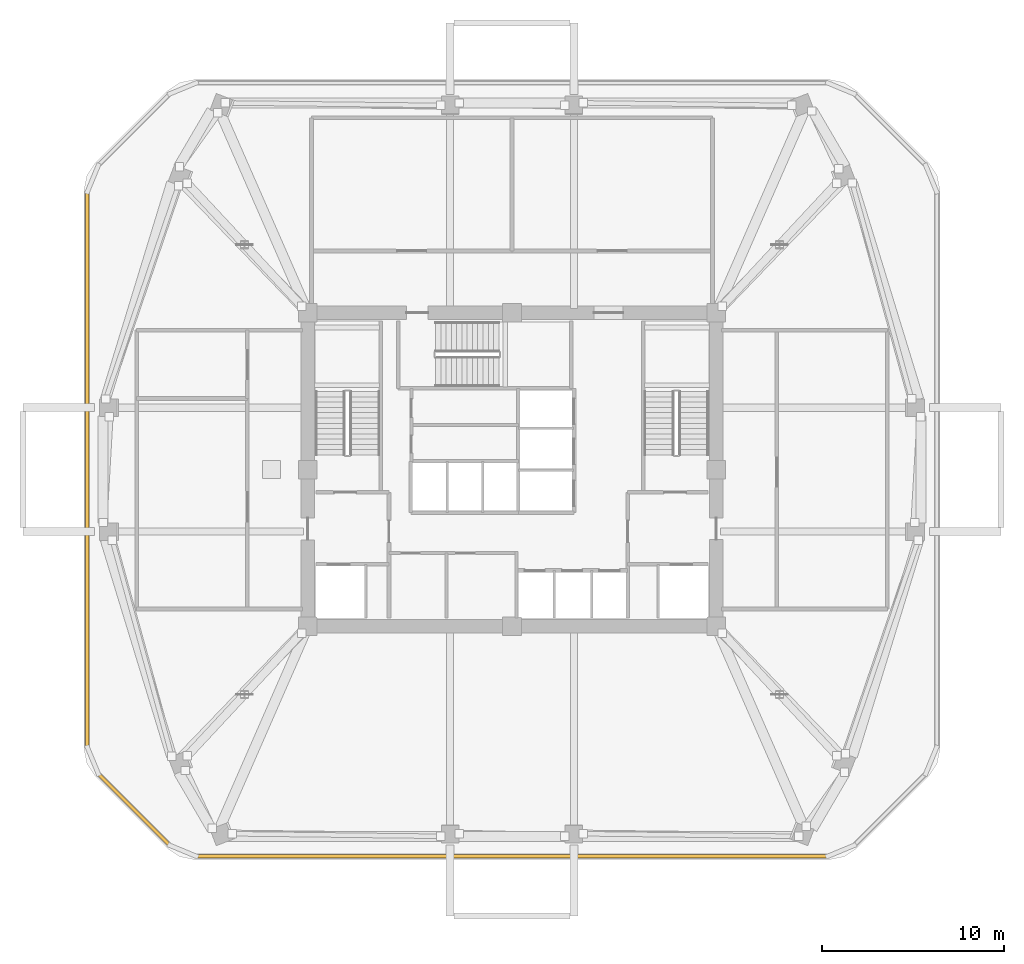
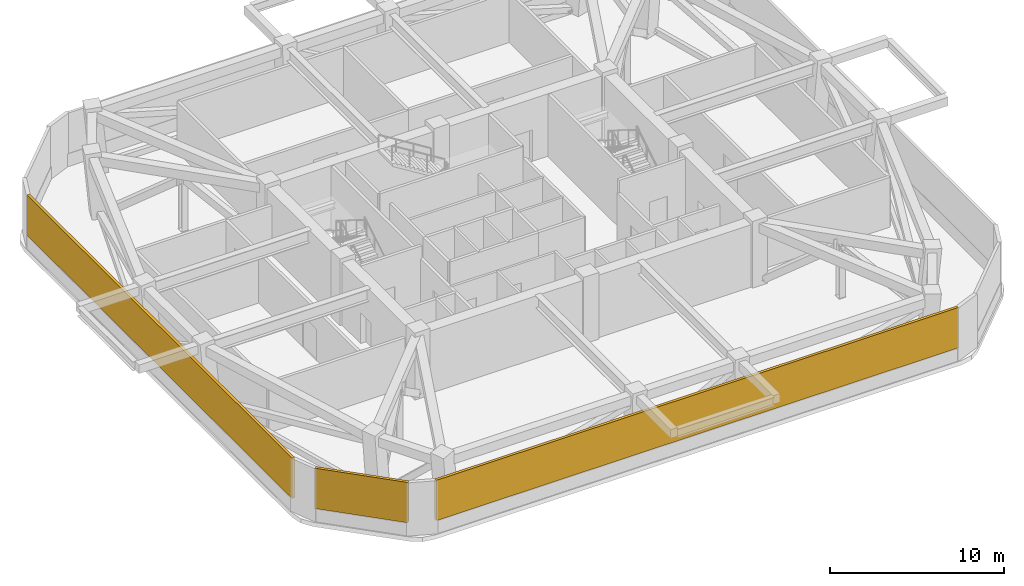
# One storey, part 6 of 8: 3 shading devices.
"""IFC4 building model written with IfcOpenShell, lengths in metres."""

from ifc_helpers import new_model, si_unit, derived_unit, direction, frame, origin, origin_2d, place, context, subcontext, project, spatial, rectangle, extrude, material, layer, layer_set, type_object, element, save


model = new_model("IFC4")

# Units and contexts
model_context = context("Model", 3, precision=1e-05, world=origin(), true_north=direction((0.0, 1.0)))
body_context = subcontext(model_context, "Body", "Model", "MODEL_VIEW")
ifc_project = project(units=[si_unit("LENGTHUNIT", "METRE"), si_unit("AREAUNIT", "SQUARE_METRE"), si_unit("VOLUMEUNIT", "CUBIC_METRE"), si_unit("PLANEANGLEUNIT", "RADIAN"), si_unit("MASSUNIT", "GRAM", prefix="KILO"), derived_unit("THERMALTRANSMITTANCEUNIT", [(si_unit("POWERUNIT", "WATT"), 1), (si_unit("LENGTHUNIT", "METRE"), -2), (si_unit("THERMODYNAMICTEMPERATUREUNIT", "KELVIN"), -1)])], contexts=[model_context])

# Site, building, storey
site_placement = place(None, origin())
site = spatial("IfcSite", under=ifc_project, at=site_placement, CompositionType="ELEMENT")
building_placement = place(site_placement, origin())
building = spatial("IfcBuilding", under=site, at=building_placement, Name="Koralith Skygarden Medical Center", CompositionType="ELEMENT")
storey_placement = place(building_placement, frame((0.0, 0.0, 178.02001953125)))
storey = spatial("IfcBuildingStorey", under=building, at=storey_placement, Name="L46", CompositionType="ELEMENT", Elevation=178.02001953125)

# Shading devices
ifc_material = material(Name="Aluminium 6063-T6", Category="aluminium")
ifc_layer = layer(ifc_material, 0.179931640625)
ifc_layer_set = layer_set([ifc_layer], Name="Aluminium 6063-T6")
shading_device_type = type_object("IfcShadingDeviceType", Name="Mechanical Plant Acoustic Hurricane Louvre", PredefinedType="JALOUSIE", material=ifc_layer_set)
shading_device_1_placement = place(storey_placement, frame((37.0, 4.679931640625, 0.89990234375), z_axis=(0.0, 0.0, 1.0), x_axis=(1.0, 0.0, 0.0)))
element("IfcShadingDevice", 1, at=shading_device_1_placement, inside=storey, type_object=shading_device_type, Name="L46 Plant Acoustic Hurricane Louvre S", PredefinedType="JALOUSIE", context=body_context, shape_type="SweptSolid", body=[
    extrude(rectangle(XDim=34.656982421875, YDim=0.179931640625, at=origin_2d()), origin(), (0.0, 0.0, 1.0), 2.830078125),
])
shading_device_2_placement = place(storey_placement, frame((13.696044921875, 25.89990234375, 0.89990234375), z_axis=(0.0, 0.0, 1.0), x_axis=(0.0, -1.0, 0.0)))
element("IfcShadingDevice", 2, at=shading_device_2_placement, inside=storey, type_object=shading_device_type, Name="L46 Plant Acoustic Hurricane Louvre W", PredefinedType="JALOUSIE", context=body_context, shape_type="SweptSolid", body=[
    extrude(rectangle(XDim=30.489013671875, YDim=0.179931640625, at=origin_2d()), origin(), (0.0, 0.0, 1.0), 2.830078125),
])
shading_device_3_placement = place(storey_placement, frame((16.258056640625, 7.241943359375, 0.89990234375), z_axis=(0.0, 0.0, 1.0), x_axis=(0.707106781187, -0.707106781187, 0.0)))
element("IfcShadingDevice", 3, at=shading_device_3_placement, inside=storey, type_object=shading_device_type, Name="L46 Plant Acoustic Hurricane Louvre SW", PredefinedType="JALOUSIE", context=body_context, shape_type="SweptSolid", body=[
    extrude(rectangle(XDim=5.548095703125, YDim=0.179931640625, at=origin_2d()), origin(), (0.0, 0.0, 1.0), 2.830078125),
])

save(model, "model.ifc")
